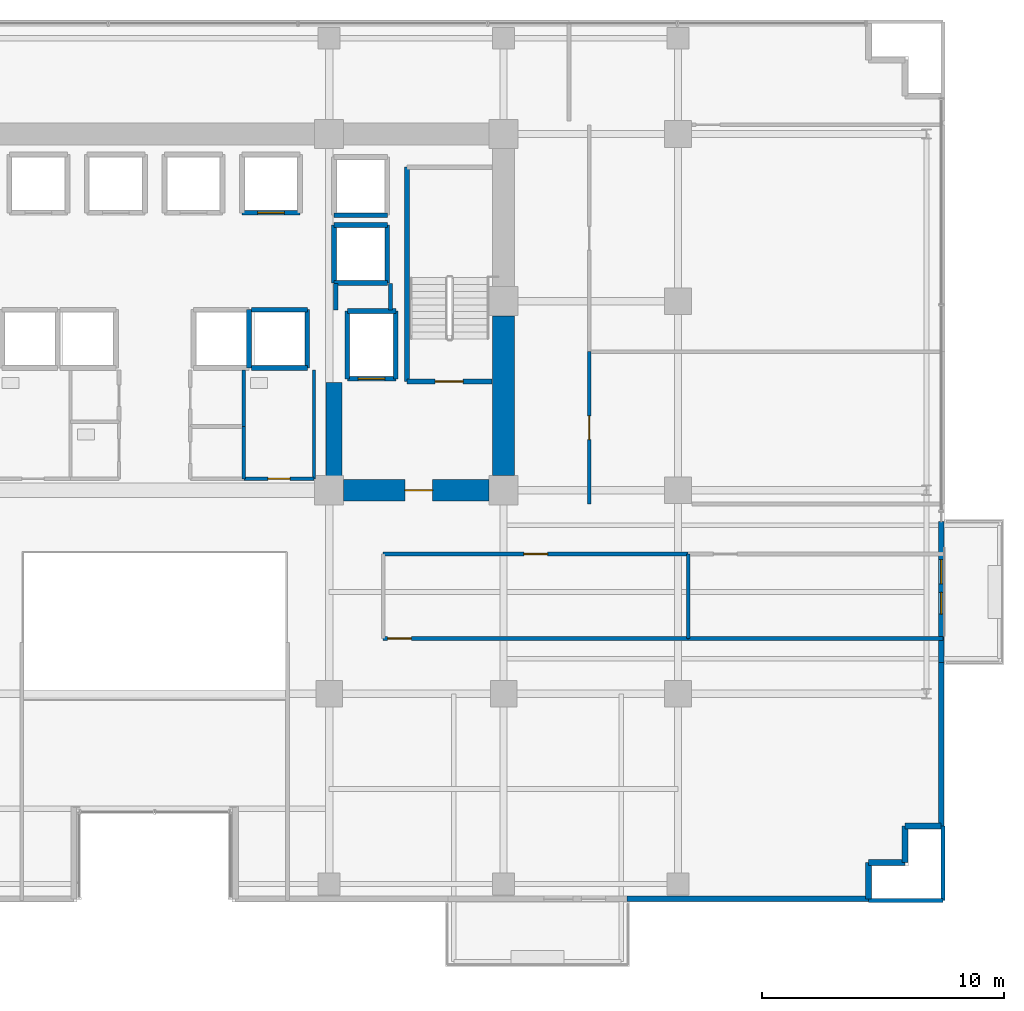
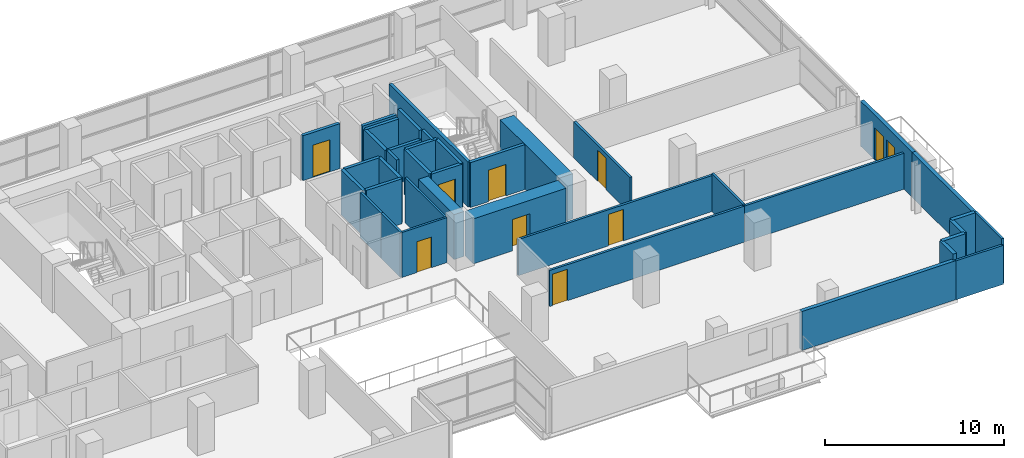
# One storey, part 21 of 26: 39 walls, 9 doors, 1 window, 10 openings.
"""IFC4 building model written with IfcOpenShell, lengths in metres."""

import ifcopenshell
import ifcopenshell.guid

model = None  # the IFC model being written
_history = None  # IfcOwnerHistory: only IFC2X3 demands one
_inside = {}  # id of a spatial element -> (the spatial element, [elements in it])
_under = {}  # id of a project, library or spatial element -> (it, [spatial elements below it])
_declared = {}  # id of a project -> (the project, [libraries it declares])
_typed = {}  # id of a type object -> (the type object, [elements of that type])
_made_of = {}  # id of a material, layer set ... -> (it, [elements and type objects made of it])


def new_model(schema):
    """Start an empty IFC model of exactly this schema.

    Asked for "IFC4X3", IfcOpenShell would pick the latest addendum, in which some entities
    have other attributes; the version numbers below select the first issue.
    IFC2X3 requires an IfcOwnerHistory on every rooted entity: one is made here for all.
    """
    global model, _history
    if schema == "IFC4X3":
        model = ifcopenshell.file(schema_version=(4, 3, 0, 0))
    else:
        model = ifcopenshell.file(schema=schema)
    _inside.clear()
    _under.clear()
    _declared.clear()
    _typed.clear()
    _made_of.clear()
    _history = None
    if model.schema == "IFC2X3":
        org = make("IfcOrganization", Name="unknown")
        user = make(
            "IfcPersonAndOrganization",
            ThePerson=make("IfcPerson", FamilyName="unknown"),
            TheOrganization=org,
        )
        app = make(
            "IfcApplication",
            ApplicationDeveloper=org,
            Version="unknown",
            ApplicationFullName="unknown",
            ApplicationIdentifier="unknown",
        )
        _history = make(
            "IfcOwnerHistory",
            OwningUser=user,
            OwningApplication=app,
            ChangeAction="ADDED",
            CreationDate=0,
        )
    return model


def make(cls, **values):
    """One entity of the class cls with the attributes given. An attribute that is None is left unset."""
    return model.create_entity(
        cls, **{name: value for name, value in values.items() if value is not None}
    )


def rooted(cls, **values):
    """An entity with a GlobalId (a new one), such as an element, a storey or a relation."""
    return make(cls, GlobalId=ifcopenshell.guid.new(), OwnerHistory=_history, **values)


def si_unit(unit_type, name, prefix=None):
    """IfcSIUnit, for example si_unit("LENGTHUNIT", "METRE", prefix="MILLI")."""
    return make("IfcSIUnit", UnitType=unit_type, Prefix=prefix, Name=name)


def assignment(units):
    """IfcUnitAssignment: the units of a project."""
    return None if units is None else make("IfcUnitAssignment", Units=units)


def point(xyz):
    """IfcCartesianPoint."""
    return None if xyz is None else make("IfcCartesianPoint", Coordinates=xyz)


def direction(xyz):
    """IfcDirection."""
    return None if xyz is None else make("IfcDirection", DirectionRatios=xyz)


def frame(location, z_axis=None, x_axis=None):
    """IfcAxis2Placement3D, a coordinate frame: its origin and axes. An axis left out is left unset."""
    return make(
        "IfcAxis2Placement3D",
        Location=point(location),
        Axis=direction(z_axis),
        RefDirection=direction(x_axis),
    )


def frame_2d(location, x_axis=None):
    """IfcAxis2Placement2D, a coordinate frame in the plane: its origin and x axis."""
    return make(
        "IfcAxis2Placement2D", Location=point(location), RefDirection=direction(x_axis)
    )


def origin():
    """The frame at (0, 0, 0) with its axes left unset."""
    return frame((0.0, 0.0, 0.0))


def place(relative_to, where):
    """IfcLocalPlacement: puts the frame where relative to a parent placement (None: the world)."""
    return make(
        "IfcLocalPlacement", PlacementRelTo=relative_to, RelativePlacement=where
    )


def context(
    kind, dimensions, precision=None, world=None, true_north=None, identifier=None
):
    """IfcGeometricRepresentationContext, for example the 3D "Model" context."""
    return make(
        "IfcGeometricRepresentationContext",
        ContextIdentifier=identifier,
        ContextType=kind,
        CoordinateSpaceDimension=dimensions,
        Precision=precision,
        WorldCoordinateSystem=world,
        TrueNorth=true_north,
    )


def subcontext(parent, identifier, kind, view, scale=None):
    """IfcGeometricRepresentationSubContext, for example "Body" below "Model"."""
    return make(
        "IfcGeometricRepresentationSubContext",
        ContextIdentifier=identifier,
        ContextType=kind,
        ParentContext=parent,
        TargetScale=scale,
        TargetView=view,
    )


def project(units=None, contexts=None):
    """IfcProject with its units and contexts."""
    return rooted(
        "IfcProject",
        Name="project",
        RepresentationContexts=contexts,
        UnitsInContext=assignment(units),
    )


def spatial(cls, under=None, at=None, **own):
    """A site, building, storey or space (cls), placed at a placement, below another one or the project."""
    s = rooted(cls, ObjectPlacement=at, **own)
    if under is not None:
        _under.setdefault(under.id(), (under, []))[1].append(s)
    return s


def profile(cls, at=None, kind="AREA", **sizes):
    """A parametric profile (cls). Its sizes go by their IFC names, for example OverallWidth=200.0."""
    return make(cls, ProfileType=kind, Position=at, **sizes)


def rectangle(**sizes):
    """IfcRectangleProfileDef."""
    return profile("IfcRectangleProfileDef", **sizes)


def extrude(swept, where, along, depth):
    """IfcExtrudedAreaSolid: the profile swept, set in the frame where, extruded along a direction by depth."""
    return make(
        "IfcExtrudedAreaSolid",
        SweptArea=swept,
        Position=where,
        ExtrudedDirection=direction(along),
        Depth=depth,
    )


def shape(context_of_items, identifier, shape_type, items):
    """IfcShapeRepresentation: the items that make up one representation, for example the "Body"."""
    return make(
        "IfcShapeRepresentation",
        ContextOfItems=context_of_items,
        RepresentationIdentifier=identifier,
        RepresentationType=shape_type,
        Items=items,
    )


def source(mapping_origin, context_of_items, identifier, shape_type, items):
    """IfcRepresentationMap: a shape defined once, which mapped items show again and again."""
    return make(
        "IfcRepresentationMap",
        MappingOrigin=mapping_origin,
        MappedRepresentation=shape(context_of_items, identifier, shape_type, items),
    )


def transform(
    local_origin,
    x_axis=None,
    y_axis=None,
    z_axis=None,
    scale=None,
    scale2=None,
    scale3=None,
    uniform=True,
):
    """IfcCartesianTransformationOperator3D, or its non-uniform kind. x_axis, y_axis, z_axis: its Axis1, 2, 3."""
    if uniform:
        return make(
            "IfcCartesianTransformationOperator3D",
            Axis1=direction(x_axis),
            Axis2=direction(y_axis),
            LocalOrigin=point(local_origin),
            Scale=scale,
            Axis3=direction(z_axis),
        )
    return make(
        "IfcCartesianTransformationOperator3DnonUniform",
        Axis1=direction(x_axis),
        Axis2=direction(y_axis),
        LocalOrigin=point(local_origin),
        Scale=scale,
        Axis3=direction(z_axis),
        Scale2=scale2,
        Scale3=scale3,
    )


def mapped(mapping_source, mapping_target):
    """IfcMappedItem: shows the shape of a source again, moved by a transform."""
    return make(
        "IfcMappedItem", MappingSource=mapping_source, MappingTarget=mapping_target
    )


def material(Name=None, Category=None):
    """IfcMaterial."""
    return make("IfcMaterial", Name=Name, Category=Category)


def layer(
    of_material, thickness, ventilated=None, Name=None, Category=None, Priority=None
):
    """IfcMaterialLayer: one layer of a wall or slab, of a material (None: an air gap)."""
    return make(
        "IfcMaterialLayer",
        Material=of_material,
        LayerThickness=thickness,
        IsVentilated=ventilated,
        Name=Name,
        Category=Category,
        Priority=Priority,
    )


def layer_set(layers, Name=None):
    """IfcMaterialLayerSet."""
    return make("IfcMaterialLayerSet", MaterialLayers=layers, LayerSetName=Name)


def made_of(thing, what):
    """Note that an element or type object is made of a material, layer set ...; save() writes the relation."""
    if what is not None:
        _made_of.setdefault(what.id(), (what, []))[1].append(thing)
    return thing


def type_object(cls, material=None, **own):
    """A type object (cls), such as IfcWallType, which elements share."""
    return made_of(rooted(cls, **own), material)


def element(
    cls,
    number,
    at=None,
    inside=None,
    cuts=None,
    type_object=None,
    material=None,
    context=None,
    identifier="Body",
    shape_type=None,
    held_by="IfcProductDefinitionShape",
    body=None,
    shapes=None,
    **own,
):
    """One element of the class cls, such as IfcWall. Its Tag is "e" and its number.

    at: its placement. inside: the storey or other place that contains it. cuts: it is an
    opening in that element (IfcRelVoidsElement). A single representation is given by context,
    identifier, shape_type and body (its items); several are given by shapes. held_by: the class
    of the entity that holds the representations. save() writes the other relations.
    """
    e = rooted(cls, Tag="e%d" % number, ObjectPlacement=at, **own)
    if body is not None:
        shapes = [shape(context, identifier, shape_type, body)]
    if shapes is not None:
        e.Representation = make(held_by, Representations=shapes)
    if inside is not None:
        _inside.setdefault(inside.id(), (inside, []))[1].append(e)
    if cuts is not None:
        rooted(
            "IfcRelVoidsElement", RelatingBuildingElement=cuts, RelatedOpeningElement=e
        )
    if type_object is not None:
        _typed.setdefault(type_object.id(), (type_object, []))[1].append(e)
    return made_of(e, material)


def fill(opening, filler):
    """IfcRelFillsElement: the door or window that sits in an opening."""
    return rooted(
        "IfcRelFillsElement",
        RelatingOpeningElement=opening,
        RelatedBuildingElement=filler,
    )


def aggregate(whole, parts):
    """IfcRelAggregates: a whole, such as a stair, and the parts it consists of."""
    return rooted("IfcRelAggregates", RelatingObject=whole, RelatedObjects=parts)


def save(model, path):
    """Write the relations noted so far, then the file.

    IfcRelAggregates (storeys below a building ...), IfcRelContainedInSpatialStructure (elements
    in a storey), IfcRelDefinesByType, IfcRelAssociatesMaterial and IfcRelDeclares: one each for
    every whole, place, type object, material and project.
    """
    for whole, parts in _under.values():
        aggregate(whole, parts)
    for where, things in _inside.values():
        rooted(
            "IfcRelContainedInSpatialStructure",
            RelatedElements=things,
            RelatingStructure=where,
        )
    for kind, things in _typed.values():
        rooted("IfcRelDefinesByType", RelatedObjects=things, RelatingType=kind)
    for what, things in _made_of.values():
        rooted("IfcRelAssociatesMaterial", RelatedObjects=things, RelatingMaterial=what)
    for by, libraries in _declared.values():
        rooted("IfcRelDeclares", RelatingContext=by, RelatedDefinitions=libraries)
    model.write(path)


model = new_model("IFC4")

# Units and contexts
model_context = context("Model", 3, precision=1e-05, world=origin(), true_north=direction((0.0, 1.0)))
body_context = subcontext(model_context, "Body", "Model", "MODEL_VIEW")
ifc_project = project(units=[si_unit("LENGTHUNIT", "METRE"), si_unit("AREAUNIT", "SQUARE_METRE"), si_unit("VOLUMEUNIT", "CUBIC_METRE"), si_unit("PLANEANGLEUNIT", "RADIAN"), si_unit("MASSUNIT", "GRAM", prefix="KILO")], contexts=[model_context])

# Site, building, storey
site_placement = place(None, origin())
site = spatial("IfcSite", under=ifc_project, at=site_placement, CompositionType="ELEMENT")
building_placement = place(site_placement, origin())
building = spatial("IfcBuilding", under=site, at=building_placement, Name="Zarnakvel Exchange Tower", CompositionType="ELEMENT")
storey_placement = place(building_placement, frame((0.0, 0.0, 63.699951171875)))
storey = spatial("IfcBuildingStorey", under=building, at=storey_placement, Name="L17", CompositionType="ELEMENT", Elevation=63.699951171875)

# Wall
ifc_material_1 = material(Name="Concrete C80/95", Category="concrete")
ifc_layer_1 = layer(ifc_material_1, 0.89990234375)
ifc_layer_set_1 = layer_set([ifc_layer_1], Name="Concrete C80/95")
wall_type_1 = type_object("IfcWallType", Name="CW-C1", PredefinedType="SHEAR", material=ifc_layer_set_1)
wall_1_placement = place(storey_placement, frame((14.39990234375, -0.60009765625, 0.0), z_axis=(0.0, 0.0, 1.0), x_axis=(0.0, 1.0, 0.0)))
element("IfcWall", 1, at=wall_1_placement, inside=storey, type_object=wall_type_1, Name="L17 Rear Core Shear Wall E1 (CW-C1)", PredefinedType="SHEAR", context=body_context, shape_type="SweptSolid", body=[
    extrude(rectangle(XDim=6.60009765625, YDim=0.89990234375, at=frame_2d((3.300048828125, 0.0))), origin(), (0.0, 0.0, 1.0), 3.074951171875),
])

# Wall, opening, door
wall_2_placement = place(storey_placement, frame((13.800048828125, -1.199951171875, 0.0), z_axis=(0.0, 0.0, 1.0), x_axis=(-1.0, 0.0, 0.0)))
wall_2 = element("IfcWall", 2, at=wall_2_placement, inside=storey, type_object=wall_type_1, Name="L17 Rear Core Shear Wall SE (CW-C1)", PredefinedType="SHEAR", context=body_context, shape_type="SweptSolid", body=[
    extrude(rectangle(XDim=6.0, YDim=0.89990234375, at=frame_2d((3.0, 0.0))), origin(), (0.0, 0.0, 1.0), 3.074951171875),
])
opening_1_placement = place(wall_2_placement, frame((2.324951171875, 0.0, 0.0)))
opening_1 = element("IfcOpeningElement", 3, at=opening_1_placement, cuts=wall_2, Name="Opening D-L17-04", PredefinedType="OPENING", context=body_context, shape_type="SweptSolid", body=[
    extrude(rectangle(XDim=1.14990234375, YDim=2.14990234375, at=frame_2d((0.574951171875, 1.074951171875))), frame((0.0, 0.4599609375, 0.0), z_axis=(0.0, -1.0, 0.0), x_axis=(1.0, 0.0, 0.0)), (0.0, 0.0, 1.0), 0.919921875),
])
ifc_material_2 = material(Name="Painted Galvanised Steel S355", Category="steel")
door_type_1 = type_object("IfcDoorType", Name="DT-04", OperationType="NOTDEFINED", PredefinedType="DOOR", material=ifc_material_2)
shared_shape_1 = source(origin(), body_context, "Body", "SweptSolid", [
    extrude(rectangle(XDim=1.14990234375, YDim=2.14990234375, at=frame_2d((0.574951171875, 1.074951171875))), frame((0.0, 0.02490234375, 0.0), z_axis=(0.0, -1.0, 0.0), x_axis=(1.0, 0.0, 0.0)), (0.0, 0.0, 1.0), 0.050048828125),
])
door_1_placement = place(opening_1_placement, origin())
door_1 = element("IfcDoor", 4, at=door_1_placement, inside=storey, type_object=door_type_1, Name="L17 Firefighting Lobby East Door D-L17-04", OperationType="SINGLE_SWING_RIGHT", OverallHeight=2.14990234375, OverallWidth=1.14990234375, PredefinedType="DOOR", context=body_context, shape_type="MappedRepresentation", body=[
    mapped(shared_shape_1, transform((0.0, 0.0, 0.0), x_axis=(1.0, 0.0, 0.0), y_axis=(0.0, 1.0, 0.0), z_axis=(0.0, 0.0, 1.0), scale=1.0)),
])
fill(opening_1, door_1)

# Wall
ifc_layer_2 = layer(ifc_material_1, 0.64990234375)
ifc_layer_set_2 = layer_set([ifc_layer_2], Name="Concrete C80/95")
wall_type_2 = type_object("IfcWallType", Name="CW-C2", PredefinedType="SHEAR", material=ifc_layer_set_2)
wall_3_placement = place(storey_placement, frame((7.39990234375, -0.75, 0.0), z_axis=(0.0, 0.0, 1.0), x_axis=(0.0, 1.0, 0.0)))
element("IfcWall", 5, at=wall_3_placement, inside=storey, type_object=wall_type_2, Name="L17 Rear Core Shear Wall IE (CW-C2)", PredefinedType="SHEAR", context=body_context, shape_type="SweptSolid", body=[
    extrude(rectangle(XDim=4.0, YDim=0.64990234375, at=frame_2d((2.0, 0.0))), origin(), (0.0, 0.0, 1.0), 3.074951171875),
])

# Wall, openings, door, window
ifc_material_3 = material(Name="Precast concrete C40/50", Category="concrete")
ifc_layer_3 = layer(ifc_material_3, 0.239990234375)
ifc_layer_set_3 = layer_set([ifc_layer_3], Name="Precast concrete C40/50")
wall_type_3 = type_object("IfcWallType", Name="EW-02", PredefinedType="SOLIDWALL", material=ifc_layer_set_3)
wall_4_placement = place(storey_placement, frame((32.4599609375, -2.5, 0.0), z_axis=(0.0, 0.0, 1.0), x_axis=(0.0, -1.0, 0.0)))
wall_4 = element("IfcWall", 6, at=wall_4_placement, inside=storey, type_object=wall_type_3, Name="L17 Exterior Precast Spandrel Wall EW-BAL-L17-E (EW-02)", PredefinedType="SOLIDWALL", context=body_context, shape_type="SweptSolid", body=[
    extrude(rectangle(XDim=5.800048828125, YDim=0.239990234375, at=frame_2d((2.89990234375, 0.0))), origin(), (0.0, 0.0, 1.0), 3.074951171875),
])
opening_2_placement = place(wall_4_placement, frame((1.56591796875, 0.0, 0.0)))
opening_2 = element("IfcOpeningElement", 7, at=opening_2_placement, cuts=wall_4, Name="Opening BD-L17-03", PredefinedType="OPENING", context=body_context, shape_type="SweptSolid", body=[
    extrude(rectangle(XDim=1.0, YDim=2.199951171875, at=frame_2d((0.5, 1.10009765625))), frame((0.0, 0.1298828125, 0.0), z_axis=(0.0, -1.0, 0.0), x_axis=(1.0, 0.0, 0.0)), (0.0, 0.0, 1.0), 0.260009765625),
])
opening_3_placement = place(wall_4_placement, frame((2.916015625, 0.0, 0.85009765625)))
opening_3 = element("IfcOpeningElement", 8, at=opening_3_placement, cuts=wall_4, Name="Opening WN-06", PredefinedType="OPENING", context=body_context, shape_type="SweptSolid", body=[
    extrude(rectangle(XDim=0.89990234375, YDim=1.35009765625, at=frame_2d((0.449951171875, 0.675048828125))), frame((0.0, 0.1298828125, 0.0), z_axis=(0.0, -1.0, 0.0), x_axis=(1.0, 0.0, 0.0)), (0.0, 0.0, 1.0), 0.260009765625),
])
ifc_material_4 = material(Name="Architectural Bronze Anodised Aluminium", Category="aluminium")
door_type_2 = type_object("IfcDoorType", Name="DT-09", OperationType="NOTDEFINED", PredefinedType="DOOR", material=ifc_material_4)
shared_shape_2 = source(origin(), body_context, "Body", "SweptSolid", [
    extrude(rectangle(XDim=1.0, YDim=2.199951171875, at=frame_2d((0.5, 1.10009765625))), frame((0.0, 0.02490234375, 0.0), z_axis=(0.0, -1.0, 0.0), x_axis=(1.0, 0.0, 0.0)), (0.0, 0.0, 1.0), 0.050048828125),
])
door_2_placement = place(opening_2_placement, origin())
door_2 = element("IfcDoor", 9, at=door_2_placement, inside=storey, type_object=door_type_2, Name="L17 Planted Loggia Balcony Door BD-L17-03", OperationType="SINGLE_SWING_LEFT", OverallHeight=2.199951171875, OverallWidth=1.0, PredefinedType="DOOR", context=body_context, shape_type="MappedRepresentation", body=[
    mapped(shared_shape_2, transform((0.0, 0.0, 0.0), x_axis=(1.0, 0.0, 0.0), y_axis=(0.0, 1.0, 0.0), z_axis=(0.0, 0.0, 1.0), scale=1.0)),
])
fill(opening_2, door_2)
ifc_material_5 = material(Name="Double Low-E Laminated Vision Glass", Category="glass")
window_type = type_object("IfcWindowType", Name="WN-06", PartitioningType="SINGLE_PANEL", PredefinedType="WINDOW", material=ifc_material_5)
shared_shape_3 = source(origin(), body_context, "Body", "SweptSolid", [
    extrude(rectangle(XDim=0.89990234375, YDim=1.35009765625, at=frame_2d((0.449951171875, 0.675048828125))), frame((0.0, 0.030029296875, 0.0), z_axis=(0.0, -1.0, 0.0), x_axis=(1.0, 0.0, 0.0)), (0.0, 0.0, 1.0), 0.06005859375),
])
window_placement = place(opening_3_placement, origin())
window = element("IfcWindow", 10, at=window_placement, inside=storey, type_object=window_type, Name="L17 Loggia Daylight Window (WN-06)", OverallHeight=1.35009765625, OverallWidth=0.89990234375, PartitioningType="SINGLE_PANEL", PredefinedType="WINDOW", context=body_context, shape_type="MappedRepresentation", body=[
    mapped(shared_shape_3, transform((0.0, 0.0, 0.0), x_axis=(1.0, 0.0, 0.0), y_axis=(0.0, 1.0, 0.0), z_axis=(0.0, 0.0, 1.0), scale=1.0)),
])
fill(opening_3, window)

# Walls
wall_5_placement = place(storey_placement, frame((32.4599609375, -15.06005859375, 0.0), z_axis=(0.0, 0.0, 1.0), x_axis=(0.0, 1.0, 0.0)))
element("IfcWall", 11, at=wall_5_placement, inside=storey, type_object=wall_type_3, Name="L17 Exterior Precast Spandrel Wall EWC-L17-10 (EW-02)", PredefinedType="SOLIDWALL", context=body_context, shape_type="SweptSolid", body=[
    extrude(rectangle(XDim=6.760009765625, YDim=0.239990234375, at=frame_2d((3.3798828125, 0.0))), origin(), (0.0, 0.0, 1.0), 3.074951171875),
])
for number, where, z_axis, x_axis, name in (
    (12, (30.9599609375, -15.06005859375, 0.0), (0.0, 0.0, 1.0), (1.0, 0.0, 0.0), "L17 Exterior Precast Spandrel Wall EWC-L17-11 (EW-02)"),
    (13, (30.9599609375, -16.56005859375, 0.0), (0.0, 0.0, 1.0), (0.0, 1.0, 0.0), "L17 Exterior Precast Spandrel Wall EWC-L17-12 (EW-02)"),
    (14, (29.4599609375, -16.56005859375, 0.0), (0.0, 0.0, 1.0), (1.0, 0.0, 0.0), "L17 Exterior Precast Spandrel Wall EWC-L17-13 (EW-02)"),
    (15, (29.4599609375, -18.06005859375, 0.0), (0.0, 0.0, 1.0), (0.0, 1.0, 0.0), "L17 Exterior Precast Spandrel Wall EWC-L17-14 (EW-02)"),
):
    element("IfcWall", number, at=place(storey_placement, frame(where, z_axis=z_axis, x_axis=x_axis)), inside=storey, type_object=wall_type_3, Name=name, PredefinedType="SOLIDWALL", context=body_context, shape_type="SweptSolid", body=[
        extrude(rectangle(XDim=1.5, YDim=0.239990234375, at=frame_2d((0.75, 0.0))), origin(), (0.0, 0.0, 1.0), 3.074951171875),
    ])
wall_6_placement = place(storey_placement, frame((19.5, -18.06005859375, 0.0), z_axis=(0.0, 0.0, 1.0), x_axis=(1.0, 0.0, 0.0)))
element("IfcWall", 16, at=wall_6_placement, inside=storey, type_object=wall_type_3, Name="L17 Exterior Precast Spandrel Wall EWC-L17-15 (EW-02)", PredefinedType="SOLIDWALL", context=body_context, shape_type="SweptSolid", body=[
    extrude(rectangle(XDim=9.9599609375, YDim=0.239990234375, at=frame_2d((4.97998046875, 0.0))), origin(), (0.0, 0.0, 1.0), 2.6650390625),
])
ifc_material_6 = material(Name="Fire-Rated Gypsum Stud Partition", Category="gypsum")
ifc_layer_4 = layer(ifc_material_6, 0.14990234375)
ifc_layer_set_4 = layer_set([ifc_layer_4], Name="Fire-Rated Gypsum Stud Partition")
wall_type_4 = type_object("IfcWallType", Name="PT-01", PredefinedType="PARTITIONING", material=ifc_layer_set_4)
wall_7_placement = place(storey_placement, frame((3.679931640625, 1.429931640625, 0.0), z_axis=(0.0, 0.0, 1.0), x_axis=(0.0, -1.0, 0.0)))
element("IfcWall", 17, at=wall_7_placement, inside=storey, type_object=wall_type_4, Name="L17 Partition Wall PWALL-L17-021 (PT-01)", PredefinedType="PARTITIONING", context=body_context, shape_type="SweptSolid", body=[
    extrude(rectangle(XDim=2.159912109375, YDim=0.14990234375, at=frame_2d((1.080078125, 0.0))), origin(), (0.0, 0.0, 1.0), 3.074951171875),
])
wall_8_placement = place(storey_placement, frame((3.679931640625, 3.760009765625, 0.0), z_axis=(0.0, 0.0, 1.0), x_axis=(0.0, -1.0, 0.0)))
element("IfcWall", 18, at=wall_8_placement, inside=storey, type_object=wall_type_4, Name="L17 Partition Wall PWALL-L17-023 (PT-01)", PredefinedType="PARTITIONING", context=body_context, shape_type="SweptSolid", body=[
    extrude(rectangle(XDim=2.330078125, YDim=0.14990234375, at=frame_2d((1.1650390625, 0.0))), origin(), (0.0, 0.0, 1.0), 3.074951171875),
])

# Wall, opening, door
wall_9_placement = place(storey_placement, frame((22.015380859375, -7.320068359375, 0.0), z_axis=(0.0, 0.0, 1.0), x_axis=(-1.0, 0.0, 0.0)))
wall_9 = element("IfcWall", 19, at=wall_9_placement, inside=storey, type_object=wall_type_4, Name="L17 Partition Wall PWALL-L17-039 (PT-01)", PredefinedType="PARTITIONING", context=body_context, shape_type="SweptSolid", body=[
    extrude(rectangle(XDim=12.58544921875, YDim=0.14990234375, at=frame_2d((6.292724609375, 0.0))), origin(), (0.0, 0.0, 1.0), 2.465087890625),
])
opening_4_placement = place(wall_9_placement, frame((11.425537109375, 0.0, 0.0)))
opening_4 = element("IfcOpeningElement", 20, at=opening_4_placement, cuts=wall_9, Name="Opening D-L17-17", PredefinedType="OPENING", context=body_context, shape_type="SweptSolid", body=[
    extrude(rectangle(XDim=0.97998046875, YDim=2.14990234375, at=frame_2d((0.489990234375, 1.074951171875))), frame((0.0, 0.0849609375, 0.0), z_axis=(0.0, -1.0, 0.0), x_axis=(1.0, 0.0, 0.0)), (0.0, 0.0, 1.0), 0.169921875),
])
ifc_material_7 = material(Name="Timber Acoustic Veneer", Category="wood")
door_type_3 = type_object("IfcDoorType", Name="DT-05", OperationType="NOTDEFINED", PredefinedType="DOOR", material=ifc_material_7)
shared_shape_4 = source(origin(), body_context, "Body", "SweptSolid", [
    extrude(rectangle(XDim=0.97998046875, YDim=2.14990234375, at=frame_2d((0.489990234375, 1.074951171875))), frame((0.0, 0.02490234375, 0.0), z_axis=(0.0, -1.0, 0.0), x_axis=(1.0, 0.0, 0.0)), (0.0, 0.0, 1.0), 0.050048828125),
])
door_3_placement = place(opening_4_placement, origin())
door_3 = element("IfcDoor", 21, at=door_3_placement, inside=storey, type_object=door_type_3, Name="L17 Asset Management Office Door D-L17-17", OperationType="SINGLE_SWING_LEFT", OverallHeight=2.14990234375, OverallWidth=0.97998046875, PredefinedType="DOOR", context=body_context, shape_type="MappedRepresentation", body=[
    mapped(shared_shape_4, transform((0.0, 0.0, 0.0), x_axis=(1.0, 0.0, 0.0), y_axis=(0.0, 1.0, 0.0), z_axis=(0.0, 0.0, 1.0), scale=1.0)),
])
fill(opening_4, door_3)

wall_10_placement = place(storey_placement, frame((9.429931640625, -3.830078125, 0.0), z_axis=(0.0, 0.0, 1.0), x_axis=(1.0, 0.0, 0.0)))
wall_10 = element("IfcWall", 22, at=wall_10_placement, inside=storey, type_object=wall_type_4, Name="L17 Partition Wall PWALL-L17-040 (PT-01)", PredefinedType="PARTITIONING", context=body_context, shape_type="SweptSolid", body=[
    extrude(rectangle(XDim=12.58544921875, YDim=0.14990234375, at=frame_2d((6.292724609375, 0.0))), origin(), (0.0, 0.0, 1.0), 2.465087890625),
])
opening_5_placement = place(wall_10_placement, frame((5.802978515625, 0.0, 0.0)))
opening_5 = element("IfcOpeningElement", 23, at=opening_5_placement, cuts=wall_10, Name="Opening D-L17-15", PredefinedType="OPENING", context=body_context, shape_type="SweptSolid", body=[
    extrude(rectangle(XDim=0.97998046875, YDim=2.14990234375, at=frame_2d((0.489990234375, 1.074951171875))), frame((0.0, 0.0849609375, 0.0), z_axis=(0.0, -1.0, 0.0), x_axis=(1.0, 0.0, 0.0)), (0.0, 0.0, 1.0), 0.169921875),
])
door_4_placement = place(opening_5_placement, origin())
door_4 = element("IfcDoor", 24, at=door_4_placement, inside=storey, type_object=door_type_3, Name="L17 Meeting Room Door D-L17-15", OperationType="SINGLE_SWING_LEFT", OverallHeight=2.14990234375, OverallWidth=0.97998046875, PredefinedType="DOOR", context=body_context, shape_type="MappedRepresentation", body=[
    mapped(shared_shape_4, transform((0.0, 0.0, 0.0), x_axis=(1.0, 0.0, 0.0), y_axis=(0.0, 1.0, 0.0), z_axis=(0.0, 0.0, 1.0), scale=1.0)),
])
fill(opening_5, door_4)

# Walls
wall_11_placement = place(storey_placement, frame((22.015380859375, -3.830078125, 0.0), z_axis=(0.0, 0.0, 1.0), x_axis=(0.0, -1.0, 0.0)))
element("IfcWall", 25, at=wall_11_placement, inside=storey, type_object=wall_type_4, Name="L17 Partition Wall PWALL-L17-042 (PT-01)", PredefinedType="PARTITIONING", context=body_context, shape_type="SweptSolid", body=[
    extrude(rectangle(XDim=3.489990234375, YDim=0.14990234375, at=frame_2d((1.7451171875, 0.0))), origin(), (0.0, 0.0, 1.0), 2.56494140625),
])
wall_12_placement = place(storey_placement, frame((32.530029296875, -7.320068359375, 0.0), z_axis=(0.0, 0.0, 1.0), x_axis=(-1.0, 0.0, 0.0)))
element("IfcWall", 26, at=wall_12_placement, inside=storey, type_object=wall_type_4, Name="L17 Partition Wall PWALL-L17-043 (PT-01)", PredefinedType="PARTITIONING", context=body_context, shape_type="SweptSolid", body=[
    extrude(rectangle(XDim=10.5146484375, YDim=0.14990234375, at=frame_2d((5.25732421875, 0.0))), origin(), (0.0, 0.0, 1.0), 2.465087890625),
])
wall_13_placement = place(storey_placement, frame((32.530029296875, -18.1298828125, 0.0), z_axis=(0.0, 0.0, 1.0), x_axis=(-1.0, 0.0, 0.0)))
element("IfcWall", 27, at=wall_13_placement, inside=storey, type_object=wall_type_4, Name="L17 Partition Wall PWALL-L17-046 (PT-01)", PredefinedType="PARTITIONING", context=body_context, shape_type="SweptSolid", body=[
    extrude(rectangle(XDim=3.070068359375, YDim=0.14990234375, at=frame_2d((1.53515625, 0.0))), origin(), (0.0, 0.0, 1.0), 2.6650390625),
])
wall_14_placement = place(storey_placement, frame((32.530029296875, -15.06005859375, 0.0), z_axis=(0.0, 0.0, 1.0), x_axis=(0.0, -1.0, 0.0)))
element("IfcWall", 28, at=wall_14_placement, inside=storey, type_object=wall_type_4, Name="L17 Partition Wall PWALL-L17-048 (PT-01)", PredefinedType="PARTITIONING", context=body_context, shape_type="SweptSolid", body=[
    extrude(rectangle(XDim=3.06982421875, YDim=0.14990234375, at=frame_2d((1.534912109375, 0.0))), origin(), (0.0, 0.0, 1.0), 3.074951171875),
])

# Wall, opening, door
wall_15_placement = place(storey_placement, frame((17.929931640625, -1.77001953125, 0.0), z_axis=(0.0, 0.0, 1.0), x_axis=(0.0, 1.0, 0.0)))
wall_15 = element("IfcWall", 29, at=wall_15_placement, inside=storey, type_object=wall_type_4, Name="L17 Partition Wall PWALL-L17-060 (PT-01)", PredefinedType="PARTITIONING", context=body_context, shape_type="SweptSolid", body=[
    extrude(rectangle(XDim=6.2919921875, YDim=0.14990234375, at=frame_2d((3.14599609375, 0.0))), origin(), (0.0, 0.0, 1.0), 2.465087890625),
])
opening_6_placement = place(wall_15_placement, frame((2.656005859375, 0.0, 0.0)))
opening_6 = element("IfcOpeningElement", 30, at=opening_6_placement, cuts=wall_15, Name="Opening D-L17-21", PredefinedType="OPENING", context=body_context, shape_type="SweptSolid", body=[
    extrude(rectangle(XDim=0.97998046875, YDim=2.14990234375, at=frame_2d((0.489990234375, 1.074951171875))), frame((0.0, 0.0849609375, 0.0), z_axis=(0.0, -1.0, 0.0), x_axis=(1.0, 0.0, 0.0)), (0.0, 0.0, 1.0), 0.169921875),
])
door_5_placement = place(opening_6_placement, origin())
door_5 = element("IfcDoor", 31, at=door_5_placement, inside=storey, type_object=door_type_3, Name="L17 Staff Pantry Door D-L17-21", OperationType="SINGLE_SWING_LEFT", OverallHeight=2.14990234375, OverallWidth=0.97998046875, PredefinedType="DOOR", context=body_context, shape_type="MappedRepresentation", body=[
    mapped(shared_shape_4, transform((0.0, 0.0, 0.0), x_axis=(1.0, 0.0, 0.0), y_axis=(0.0, 1.0, 0.0), z_axis=(0.0, 0.0, 1.0), scale=1.0)),
])
fill(opening_6, door_5)

# Walls
ifc_layer_5 = layer(ifc_material_6, 0.179931640625)
ifc_layer_set_5 = layer_set([ifc_layer_5], Name="Fire-Rated Gypsum Stud Partition")
wall_type_5 = type_object("IfcWallType", Name="PT-02", PredefinedType="PARTITIONING", material=ifc_layer_set_5)
wall_16_placement = place(storey_placement, frame((7.469970703125, 6.239990234375, 0.0), z_axis=(0.0, 0.0, 1.0), x_axis=(0.0, 1.0, 0.0)))
element("IfcWall", 32, at=wall_16_placement, inside=storey, type_object=wall_type_5, Name="L17 Partition Wall PWALL-L17-009 (PT-02)", PredefinedType="PARTITIONING", context=body_context, shape_type="SweptSolid", body=[
    extrude(rectangle(XDim=1.090087890625, YDim=0.179931640625, at=frame_2d((0.544921875, 0.0))), origin(), (0.0, 0.0, 1.0), 2.465087890625),
])
wall_17_placement = place(storey_placement, frame((9.72998046875, 7.330078125, 0.0), z_axis=(0.0, 0.0, 1.0), x_axis=(0.0, -1.0, 0.0)))
element("IfcWall", 33, at=wall_17_placement, inside=storey, type_object=wall_type_5, Name="L17 Partition Wall PWALL-L17-010 (PT-02)", PredefinedType="PARTITIONING", context=body_context, shape_type="SweptSolid", body=[
    extrude(rectangle(XDim=1.090087890625, YDim=0.179931640625, at=frame_2d((0.544921875, 0.0))), origin(), (0.0, 0.0, 1.0), 3.074951171875),
])

# Wall, opening, door
ifc_material_8 = material(Name="Moisture-Resistant Tile-Faced Partition", Category="gypsum")
ifc_layer_6 = layer(ifc_material_8, 0.135009765625)
ifc_layer_set_6 = layer_set([ifc_layer_6], Name="Moisture-Resistant Tile-Faced Partition")
wall_type_6 = type_object("IfcWallType", Name="PT-03", PredefinedType="PARTITIONING", material=ifc_layer_set_6)
wall_18_placement = place(storey_placement, frame((6.580078125, -0.72998046875, 0.0), z_axis=(0.0, 0.0, 1.0), x_axis=(-1.0, 0.0, 0.0)))
wall_18 = element("IfcWall", 34, at=wall_18_placement, inside=storey, type_object=wall_type_6, Name="L17 Partition Wall PWALL-L17-024 (PT-03)", PredefinedType="PARTITIONING", context=body_context, shape_type="SweptSolid", body=[
    extrude(rectangle(XDim=2.900146484375, YDim=0.135009765625, at=frame_2d((1.4501953125, 0.0))), origin(), (0.0, 0.0, 1.0), 3.074951171875),
])
opening_7_placement = place(wall_18_placement, frame((0.989990234375, 0.0, 0.0)))
opening_7 = element("IfcOpeningElement", 35, at=opening_7_placement, cuts=wall_18, Name="Opening D-L17-10", PredefinedType="OPENING", context=body_context, shape_type="SweptSolid", body=[
    extrude(rectangle(XDim=0.919921875, YDim=2.10009765625, at=frame_2d((0.4599609375, 1.050048828125))), frame((0.0, 0.077392578125, 0.0), z_axis=(0.0, -1.0, 0.0), x_axis=(1.0, 0.0, 0.0)), (0.0, 0.0, 1.0), 0.155029296875),
])
ifc_material_9 = material(Name="Moisture-Resistant Laminate Timber", Category="wood")
door_type_4 = type_object("IfcDoorType", Name="DT-07", OperationType="NOTDEFINED", PredefinedType="DOOR", material=ifc_material_9)
shared_shape_5 = source(origin(), body_context, "Body", "SweptSolid", [
    extrude(rectangle(XDim=0.919921875, YDim=2.10009765625, at=frame_2d((0.4599609375, 1.050048828125))), frame((0.0, 0.02490234375, 0.0), z_axis=(0.0, -1.0, 0.0), x_axis=(1.0, 0.0, 0.0)), (0.0, 0.0, 1.0), 0.050048828125),
])
door_6_placement = place(opening_7_placement, origin())
door_6 = element("IfcDoor", 36, at=door_6_placement, inside=storey, type_object=door_type_4, Name="L17 Female Toilet Door D-L17-10", OperationType="SINGLE_SWING_RIGHT", OverallHeight=2.10009765625, OverallWidth=0.919921875, PredefinedType="DOOR", context=body_context, shape_type="MappedRepresentation", body=[
    mapped(shared_shape_5, transform((0.0, 0.0, 0.0), x_axis=(1.0, 0.0, 0.0), y_axis=(0.0, 1.0, 0.0), z_axis=(0.0, 0.0, 1.0), scale=1.0)),
])
fill(opening_7, door_6)

# Wall
wall_19_placement = place(storey_placement, frame((6.580078125, 3.760009765625, 0.0), z_axis=(0.0, 0.0, 1.0), x_axis=(0.0, -1.0, 0.0)))
element("IfcWall", 37, at=wall_19_placement, inside=storey, type_object=wall_type_6, Name="L17 Partition Wall PWALL-L17-025 (PT-03)", PredefinedType="PARTITIONING", context=body_context, shape_type="SweptSolid", body=[
    extrude(rectangle(XDim=4.489990234375, YDim=0.135009765625, at=frame_2d((2.2451171875, 0.0))), origin(), (0.0, 0.0, 1.0), 3.074951171875),
])

# Wall, opening, door
ifc_material_10 = material(Name="Concrete C40/50", Category="concrete")
ifc_layer_7 = layer(ifc_material_10, 0.199951171875)
ifc_layer_set_7 = layer_set([ifc_layer_7], Name="Concrete C40/50")
wall_type_7 = type_object("IfcWallType", Name="SW-01", PredefinedType="SOLIDWALL", material=ifc_layer_set_7)
wall_20_placement = place(storey_placement, frame((9.949951171875, 3.39990234375, 0.0), z_axis=(0.0, 0.0, 1.0), x_axis=(-1.0, 0.0, 0.0)))
wall_20 = element("IfcWall", 38, at=wall_20_placement, inside=storey, type_object=wall_type_7, Name="L17 FL-02 Hoistway Wall South", PredefinedType="SOLIDWALL", context=body_context, shape_type="SweptSolid", body=[
    extrude(rectangle(XDim=2.0, YDim=0.199951171875, at=frame_2d((1.0, 0.0))), origin(), (0.0, 0.0, 1.0), 3.074951171875),
])
opening_8_placement = place(wall_20_placement, frame((0.449951171875, 0.0, 0.0)))
opening_8 = element("IfcOpeningElement", 39, at=opening_8_placement, cuts=wall_20, Name="Opening LD-FL-02-L17", PredefinedType="OPENING", context=body_context, shape_type="SweptSolid", body=[
    extrude(rectangle(XDim=1.10009765625, YDim=2.199951171875, at=frame_2d((0.550048828125, 1.10009765625))), frame((0.0, 0.10986328125, 0.0), z_axis=(0.0, -1.0, 0.0), x_axis=(1.0, 0.0, 0.0)), (0.0, 0.0, 1.0), 0.219970703125),
])
ifc_material_11 = material(Name="Brushed Stainless Steel", Category="steel")
door_type_5 = type_object("IfcDoorType", Name="LDT-01", OperationType="NOTDEFINED", PredefinedType="DOOR", material=ifc_material_11)
shared_shape_6 = source(origin(), body_context, "Body", "SweptSolid", [
    extrude(rectangle(XDim=1.10009765625, YDim=2.199951171875, at=frame_2d((0.550048828125, 1.10009765625))), frame((0.0, 0.02490234375, 0.0), z_axis=(0.0, -1.0, 0.0), x_axis=(1.0, 0.0, 0.0)), (0.0, 0.0, 1.0), 0.050048828125),
])
door_7_placement = place(opening_8_placement, origin())
door_7 = element("IfcDoor", 40, at=door_7_placement, inside=storey, type_object=door_type_5, Name="L17 FL-02 Lift Landing Door LD-FL-02-L17", OperationType="DOUBLE_DOOR_SLIDING", OverallHeight=2.199951171875, OverallWidth=1.10009765625, PredefinedType="DOOR", context=body_context, shape_type="MappedRepresentation", body=[
    mapped(shared_shape_6, transform((0.0, 0.0, 0.0), x_axis=(1.0, 0.0, 0.0), y_axis=(0.0, 1.0, 0.0), z_axis=(0.0, 0.0, 1.0), scale=1.0)),
])
fill(opening_8, door_7)

# Walls
wall_21_placement = place(storey_placement, frame((7.949951171875, 6.199951171875, 0.0), z_axis=(0.0, 0.0, 1.0), x_axis=(1.0, 0.0, 0.0)))
element("IfcWall", 41, at=wall_21_placement, inside=storey, type_object=wall_type_7, Name="L17 FL-02 Hoistway Wall North", PredefinedType="SOLIDWALL", context=body_context, shape_type="SweptSolid", body=[
    extrude(rectangle(XDim=2.0, YDim=0.199951171875, at=frame_2d((1.0, 0.0))), origin(), (0.0, 0.0, 1.0), 3.074951171875),
])
for number, where, z_axis, x_axis, name in (
    (42, (7.949951171875, 3.39990234375, 0.0), (0.0, 0.0, 1.0), (0.0, 1.0, 0.0), "L17 FL-02 Hoistway Wall West"),
    (43, (9.949951171875, 6.199951171875, 0.0), (0.0, 0.0, 1.0), (0.0, -1.0, 0.0), "L17 FL-02 Hoistway Wall East"),
):
    element("IfcWall", number, at=place(storey_placement, frame(where, z_axis=z_axis, x_axis=x_axis)), inside=storey, type_object=wall_type_7, Name=name, PredefinedType="SOLIDWALL", context=body_context, shape_type="SweptSolid", body=[
        extrude(rectangle(XDim=2.800048828125, YDim=0.199951171875, at=frame_2d((1.39990234375, 0.0))), origin(), (0.0, 0.0, 1.0), 3.074951171875),
    ])

# Wall, opening, door
wall_22_placement = place(storey_placement, frame((6.0, 10.25, 0.0), z_axis=(0.0, 0.0, 1.0), x_axis=(-1.0, 0.0, 0.0)))
wall_22 = element("IfcWall", 44, at=wall_22_placement, inside=storey, type_object=wall_type_7, Name="L17 PL-04 Hoistway Wall South", PredefinedType="SOLIDWALL", context=body_context, shape_type="SweptSolid", body=[
    extrude(rectangle(XDim=2.39990234375, YDim=0.199951171875, at=frame_2d((1.199951171875, 0.0))), origin(), (0.0, 0.0, 1.0), 3.074951171875),
])
opening_9_placement = place(wall_22_placement, frame((0.64990234375, 0.0, 0.0)))
opening_9 = element("IfcOpeningElement", 45, at=opening_9_placement, cuts=wall_22, Name="Opening LD-PL-04-L17", PredefinedType="OPENING", context=body_context, shape_type="SweptSolid", body=[
    extrude(rectangle(XDim=1.10009765625, YDim=2.199951171875, at=frame_2d((0.550048828125, 1.10009765625))), frame((0.0, 0.10986328125, 0.0), z_axis=(0.0, -1.0, 0.0), x_axis=(1.0, 0.0, 0.0)), (0.0, 0.0, 1.0), 0.219970703125),
])
door_type_6 = type_object("IfcDoorType", Name="LDT-02", OperationType="NOTDEFINED", PredefinedType="DOOR", material=ifc_material_4)
door_8_placement = place(opening_9_placement, origin())
door_8 = element("IfcDoor", 46, at=door_8_placement, inside=storey, type_object=door_type_6, Name="L17 PL-04 Lift Landing Door LD-PL-04-L17", OperationType="DOUBLE_DOOR_SLIDING", OverallHeight=2.199951171875, OverallWidth=1.10009765625, PredefinedType="DOOR", context=body_context, shape_type="MappedRepresentation", body=[
    mapped(shared_shape_6, transform((0.0, 0.0, 0.0), x_axis=(1.0, 0.0, 0.0), y_axis=(0.0, 1.0, 0.0), z_axis=(0.0, 0.0, 1.0), scale=1.0)),
])
fill(opening_9, door_8)

# Walls
wall_23_placement = place(storey_placement, frame((3.89990234375, 6.25, 0.0), z_axis=(0.0, 0.0, 1.0), x_axis=(0.0, -1.0, 0.0)))
element("IfcWall", 47, at=wall_23_placement, inside=storey, type_object=wall_type_7, Name="L17 PL-07 Hoistway Wall East", PredefinedType="SOLIDWALL", context=body_context, shape_type="SweptSolid", body=[
    extrude(rectangle(XDim=2.39990234375, YDim=0.199951171875, at=frame_2d((1.199951171875, 0.0))), origin(), (0.0, 0.0, 1.0), 3.074951171875),
])
for number, where, z_axis, x_axis, name in (
    (48, (6.300048828125, 3.85009765625, 0.0), (0.0, 0.0, 1.0), (-1.0, 0.0, 0.0), "L17 PL-08 Hoistway Wall South"),
    (49, (4.0, 6.25, 0.0), (0.0, 0.0, 1.0), (1.0, 0.0, 0.0), "L17 PL-08 Hoistway Wall North"),
):
    element("IfcWall", number, at=place(storey_placement, frame(where, z_axis=z_axis, x_axis=x_axis)), inside=storey, type_object=wall_type_7, Name=name, PredefinedType="SOLIDWALL", context=body_context, shape_type="SweptSolid", body=[
        extrude(rectangle(XDim=2.300048828125, YDim=0.199951171875, at=frame_2d((1.14990234375, 0.0))), origin(), (0.0, 0.0, 1.0), 3.074951171875),
    ])
wall_24_placement = place(storey_placement, frame((6.300048828125, 6.25, 0.0), z_axis=(0.0, 0.0, 1.0), x_axis=(0.0, -1.0, 0.0)))
element("IfcWall", 50, at=wall_24_placement, inside=storey, type_object=wall_type_7, Name="L17 PL-08 Hoistway Wall East", PredefinedType="SOLIDWALL", context=body_context, shape_type="SweptSolid", body=[
    extrude(rectangle(XDim=2.39990234375, YDim=0.199951171875, at=frame_2d((1.199951171875, 0.0))), origin(), (0.0, 0.0, 1.0), 3.074951171875),
])
for number, where, z_axis, x_axis, name in (
    (51, (9.60009765625, 7.35009765625, 0.0), (0.0, 0.0, 1.0), (-1.0, 0.0, 0.0), "L17 PL-11 Hoistway Wall South"),
    (52, (7.39990234375, 9.75, 0.0), (0.0, 0.0, 1.0), (1.0, 0.0, 0.0), "L17 PL-11 Hoistway Wall North"),
):
    element("IfcWall", number, at=place(storey_placement, frame(where, z_axis=z_axis, x_axis=x_axis)), inside=storey, type_object=wall_type_7, Name=name, PredefinedType="SOLIDWALL", context=body_context, shape_type="SweptSolid", body=[
        extrude(rectangle(XDim=2.2001953125, YDim=0.199951171875, at=frame_2d((1.10009765625, 0.0))), origin(), (0.0, 0.0, 1.0), 2.465087890625),
    ])
wall_25_placement = place(storey_placement, frame((7.39990234375, 7.35009765625, 0.0), z_axis=(0.0, 0.0, 1.0), x_axis=(0.0, 1.0, 0.0)))
element("IfcWall", 53, at=wall_25_placement, inside=storey, type_object=wall_type_7, Name="L17 PL-11 Hoistway Wall West", PredefinedType="SOLIDWALL", context=body_context, shape_type="SweptSolid", body=[
    extrude(rectangle(XDim=2.39990234375, YDim=0.199951171875, at=frame_2d((1.199951171875, 0.0))), origin(), (0.0, 0.0, 1.0), 2.465087890625),
])
wall_26_placement = place(storey_placement, frame((9.60009765625, 9.75, 0.0), z_axis=(0.0, 0.0, 1.0), x_axis=(0.0, -1.0, 0.0)))
element("IfcWall", 54, at=wall_26_placement, inside=storey, type_object=wall_type_7, Name="L17 PL-11 Hoistway Wall East", PredefinedType="SOLIDWALL", context=body_context, shape_type="SweptSolid", body=[
    extrude(rectangle(XDim=2.39990234375, YDim=0.199951171875, at=frame_2d((1.199951171875, 0.0))), origin(), (0.0, 0.0, 1.0), 3.074951171875),
])
wall_27_placement = place(storey_placement, frame((9.60009765625, 10.14990234375, 0.0), z_axis=(0.0, 0.0, 1.0), x_axis=(-1.0, 0.0, 0.0)))
element("IfcWall", 55, at=wall_27_placement, inside=storey, type_object=wall_type_7, Name="L17 PL-12 Hoistway Wall South", PredefinedType="SOLIDWALL", context=body_context, shape_type="SweptSolid", body=[
    extrude(rectangle(XDim=2.2001953125, YDim=0.199951171875, at=frame_2d((1.10009765625, 0.0))), origin(), (0.0, 0.0, 1.0), 2.465087890625),
])

# Wall, opening, door
ifc_layer_8 = layer(ifc_material_10, 0.199951171875)
ifc_layer_set_8 = layer_set([ifc_layer_8], Name="Concrete C40/50")
wall_type_8 = type_object("IfcWallType", Name="SW-02", PredefinedType="SOLIDWALL", material=ifc_layer_set_8)
wall_28_placement = place(storey_placement, frame((13.929931640625, 3.2900390625, 0.0), z_axis=(0.0, 0.0, 1.0), x_axis=(-1.0, 0.0, 0.0)))
wall_28 = element("IfcWall", 56, at=wall_28_placement, inside=storey, type_object=wall_type_8, Name="L17 Stairwell Core Wall PWALL-L17-004 (SW-02)", PredefinedType="SOLIDWALL", context=body_context, shape_type="SweptSolid", body=[
    extrude(rectangle(XDim=3.52001953125, YDim=0.199951171875, at=frame_2d((1.760009765625, 0.0))), origin(), (0.0, 0.0, 1.0), 3.074951171875),
])
opening_10_placement = place(wall_28_placement, frame((1.205078125, 0.0, 0.0)))
opening_10 = element("IfcOpeningElement", 57, at=opening_10_placement, cuts=wall_28, Name="Opening D-L17-02", PredefinedType="OPENING", context=body_context, shape_type="SweptSolid", body=[
    extrude(rectangle(XDim=1.14990234375, YDim=2.14990234375, at=frame_2d((0.574951171875, 1.074951171875))), frame((0.0, 0.10986328125, 0.0), z_axis=(0.0, -1.0, 0.0), x_axis=(1.0, 0.0, 0.0)), (0.0, 0.0, 1.0), 0.219970703125),
])
door_9_placement = place(opening_10_placement, origin())
door_9 = element("IfcDoor", 58, at=door_9_placement, inside=storey, type_object=door_type_1, Name="L17 Stairwell ST-02 Door D-L17-02", OperationType="SINGLE_SWING_RIGHT", OverallHeight=2.14990234375, OverallWidth=1.14990234375, PredefinedType="DOOR", context=body_context, shape_type="MappedRepresentation", body=[
    mapped(shared_shape_1, transform((0.0, 0.0, 0.0), x_axis=(1.0, 0.0, 0.0), y_axis=(0.0, 1.0, 0.0), z_axis=(0.0, 0.0, 1.0), scale=1.0)),
])
fill(opening_10, door_9)

# Wall
wall_29_placement = place(storey_placement, frame((10.409912109375, 3.2900390625, 0.0), z_axis=(0.0, 0.0, 1.0), x_axis=(0.0, 1.0, 0.0)))
element("IfcWall", 59, at=wall_29_placement, inside=storey, type_object=wall_type_8, Name="L17 Stairwell Core Wall PWALL-L17-006 (SW-02)", PredefinedType="SOLIDWALL", context=body_context, shape_type="SweptSolid", body=[
    extrude(rectangle(XDim=8.83984375, YDim=0.199951171875, at=frame_2d((4.419921875, 0.0))), origin(), (0.0, 0.0, 1.0), 3.074951171875),
])

save(model, "model.ifc")
